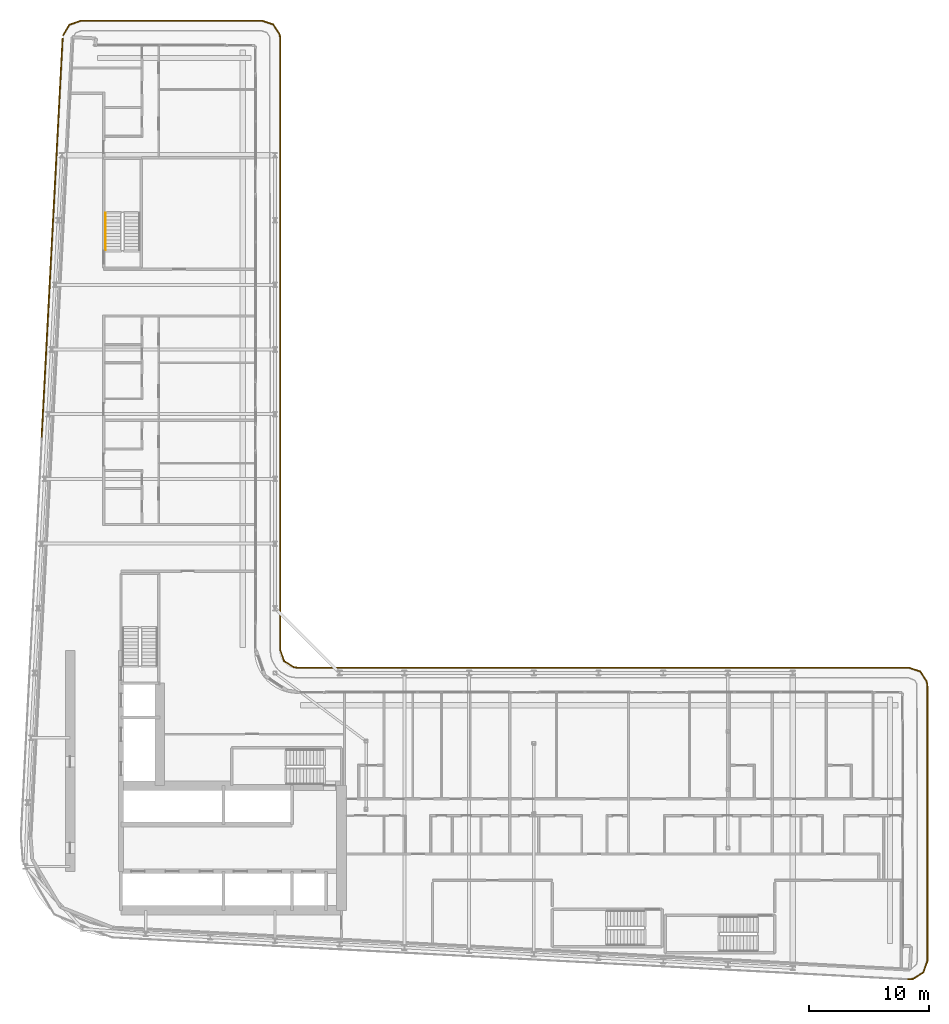
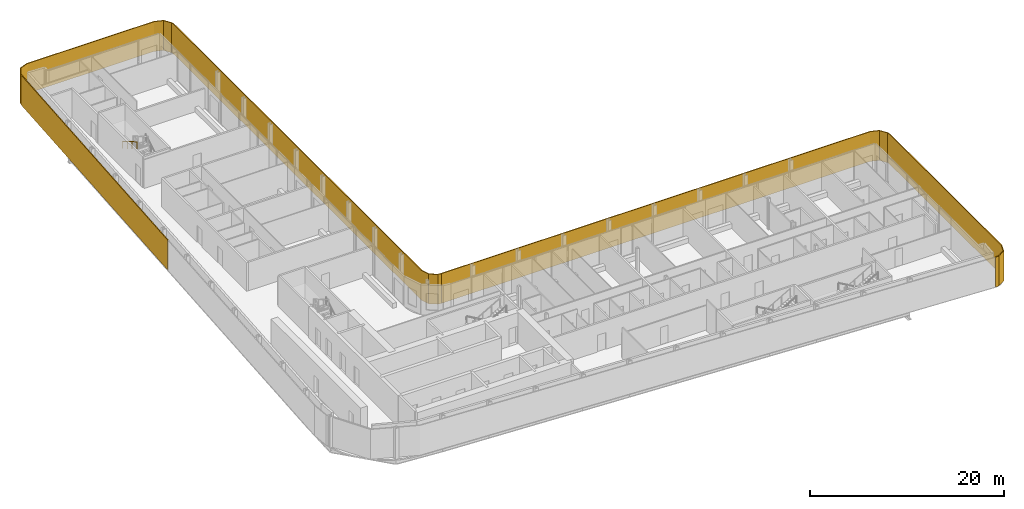
# One storey, part 28 of 30: 3 shading devices, 1 railing.
"""IFC4 building model written with IfcOpenShell, lengths in metres."""

from ifc_helpers import new_model, si_unit, direction, frame, origin, origin_2d, place, context, subcontext, project, spatial, polyline, rectangle, circle, outline, extrude, material, layer, layer_set, type_object, element, save


model = new_model("IFC4")

# Units and contexts
model_context = context("Model", 3, precision=1e-05, world=origin(), true_north=direction((0.0, 1.0)))
body_context = subcontext(model_context, "Body", "Model", "MODEL_VIEW")
ifc_project = project(units=[si_unit("LENGTHUNIT", "METRE"), si_unit("AREAUNIT", "SQUARE_METRE"), si_unit("VOLUMEUNIT", "CUBIC_METRE"), si_unit("PLANEANGLEUNIT", "RADIAN"), si_unit("MASSUNIT", "GRAM", prefix="KILO")], contexts=[model_context])

# Site, building, storey
site_placement = place(None, origin())
site = spatial("IfcSite", under=ifc_project, at=site_placement, CompositionType="ELEMENT")
building_placement = place(site_placement, origin())
building = spatial("IfcBuilding", under=site, at=building_placement, Name="Kheshtan School and Residences Tower", CompositionType="ELEMENT")
storey_placement = place(building_placement, frame((0.0, 0.0, 195.5)))
storey = spatial("IfcBuildingStorey", under=building, at=storey_placement, Name="L46", CompositionType="ELEMENT", Elevation=195.5)

# Shading devices
ifc_material_1 = material(Name="Terracotta baguette, extruded ceramic", Category="masonry")
ifc_layer_1 = layer(ifc_material_1, 0.10009765625)
ifc_layer_set_1 = layer_set([ifc_layer_1], Name="Ledge screen, terracotta baguettes")
shading_device_type_1 = type_object("IfcShadingDeviceType", Name="Ledge screen, terracotta baguettes", PredefinedType="USERDEFINED", material=ifc_layer_set_1)
shading_device_1_placement = place(storey_placement, frame((28.9990234375, 81.93408203125, 0.0), z_axis=(0.0, 0.0, 1.0), x_axis=(0.052562536748, 0.998617634398, 0.0)))
element("IfcShadingDevice", 1, at=shading_device_1_placement, inside=storey, type_object=shading_device_type_1, Name="Screen L46 5", ObjectType="BAGUETTE", PredefinedType="USERDEFINED", context=body_context, shape_type="SweptSolid", body=[
    extrude(rectangle(XDim=33.341064453125, YDim=0.10009765625, at=origin_2d()), origin(), (0.0, 0.0, 1.0), 3.75),
])
ifc_material_2 = material(Name="Terracotta lattice, extruded ceramic", Category="masonry")
ifc_layer_2 = layer(ifc_material_2, 0.10009765625)
ifc_layer_set_2 = layer_set([ifc_layer_2], Name="Loggia screen, terracotta lattice")
shading_device_type_2 = type_object("IfcShadingDeviceType", Name="Loggia screen, terracotta lattice", PredefinedType="USERDEFINED", material=ifc_layer_set_2)
shading_device_2_placement = place(storey_placement, origin())
element("IfcShadingDevice", 2, at=shading_device_2_placement, inside=storey, type_object=shading_device_type_2, Name="Screen L46 1", ObjectType="SCREEN", PredefinedType="USERDEFINED", context=body_context, shape_type="SweptSolid", body=[
    extrude(outline(polyline([(29.949951171875, 98.783935546875), (30.468017578125, 99.656982421875), (31.423095703125, 100.0), (46.5, 100.0), (47.4130859375, 99.68994140625), (47.948974609375, 98.887939453125), (48.0, 98.5), (48.0, 47.5), (48.31005859375, 46.5869140625), (49.112060546875, 46.051025390625), (49.5, 46.0), (49.512939453125, 46.09912109375), (49.14794921875, 46.14697265625), (48.39404296875, 46.65087890625), (48.10009765625, 47.51708984375), (48.10009765625, 98.507080078125), (48.044921875, 98.924072265625), (47.47705078125, 99.77392578125), (46.51708984375, 100.10009765625), (31.406005859375, 100.10009765625), (30.39990234375, 99.739013671875), (29.864013671875, 98.8349609375), (29.949951171875, 98.783935546875)])), origin(), (0.0, 0.0, 1.0), 3.75),
])
shading_device_3_placement = place(storey_placement, origin())
element("IfcShadingDevice", 3, at=shading_device_3_placement, inside=storey, type_object=shading_device_type_2, Name="Screen L46 2", ObjectType="SCREEN", PredefinedType="USERDEFINED", context=body_context, shape_type="SweptSolid", body=[
    extrude(outline(polyline([(49.5, 46.0), (100.5, 46.0), (101.4130859375, 45.68994140625), (101.948974609375, 44.887939453125), (102.0, 44.5), (102.0, 21.5810546875), (101.669921875, 20.64208984375), (100.823974609375, 20.116943359375), (100.4208984375, 20.0830078125), (100.428955078125, 19.98291015625), (100.85595703125, 20.01904296875), (101.7529296875, 20.575927734375), (102.10009765625, 21.56396484375), (102.10009765625, 44.507080078125), (102.044921875, 44.924072265625), (101.47705078125, 45.77392578125), (100.51708984375, 46.10009765625), (49.5, 46.10009765625), (49.5, 46.0)])), origin(), (0.0, 0.0, 1.0), 3.75),
])

# Railing
ifc_material_3 = material(Name="Stainless steel handrail", Category="steel")
railing_type = type_object("IfcRailingType", Name="Stair handrail 900", PredefinedType="HANDRAIL", material=ifc_material_3)
railing_placement = place(storey_placement, frame((33.449951171875, 83.97998046875, 2.112548828125)))
element("IfcRailing", 4, at=railing_placement, inside=storey, type_object=railing_type, Name="L46 ST3 stair handrail 2", PredefinedType="HANDRAIL", context=body_context, shape_type="SweptSolid", body=[
    extrude(circle(Radius=0.02392578125, at=origin_2d()), frame((0.0, 0.0, 0.8759765625), z_axis=(0.0, -0.864920483161, 0.501908913857), x_axis=(1.0, 0.0, 0.0)), (0.0, 0.0, 1.0), 3.56103515625),
    extrude(circle(Radius=0.02099609375, at=origin_2d()), origin(), (0.0, 0.0, 1.0), 0.851806640625),
    extrude(circle(Radius=0.02099609375, at=origin_2d()), frame((0.0, -1.026611328125, 0.595703125)), (0.0, 0.0, 1.0), 0.851806640625),
    extrude(circle(Radius=0.02099609375, at=origin_2d()), frame((0.0, -2.053466796875, 1.191650390625)), (0.0, 0.0, 1.0), 0.851806640625),
    extrude(circle(Radius=0.02099609375, at=origin_2d()), frame((0.0, -3.080078125, 1.787353515625)), (0.0, 0.0, 1.0), 0.851806640625),
])

save(model, "model.ifc")
